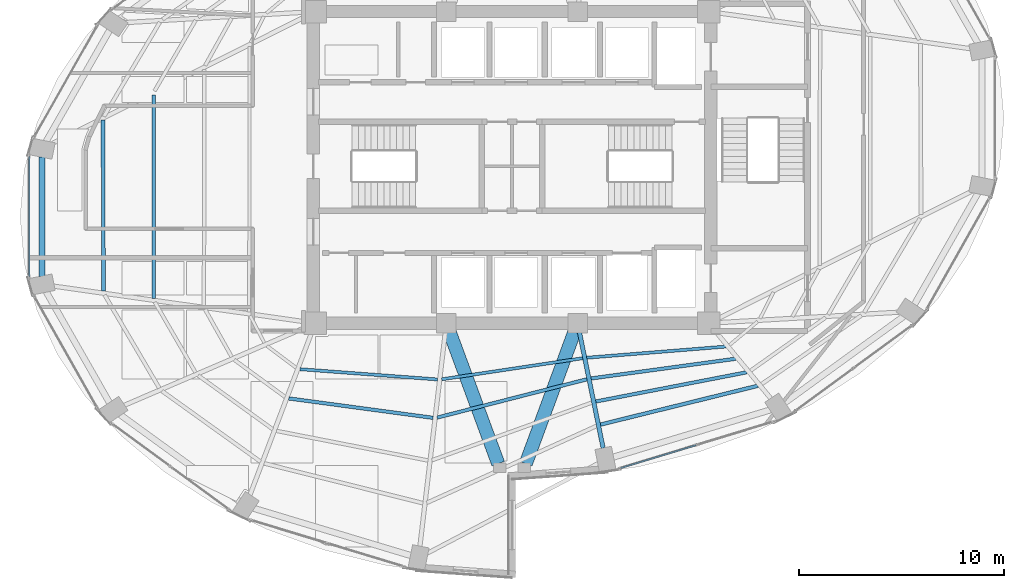
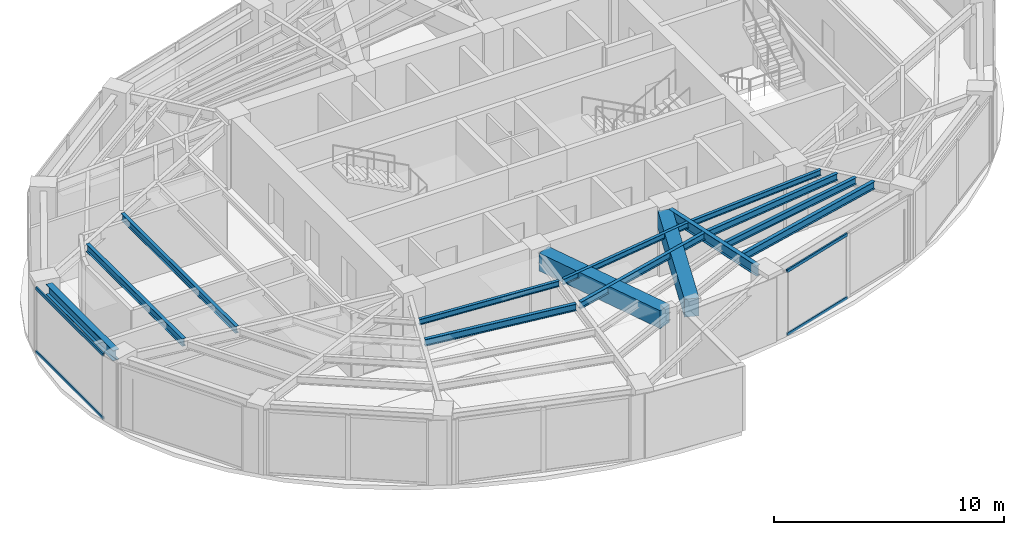
# One storey, part 5 of 20: 14 beams, 4 members, 2 elements without a shape of their own.
"""IFC4 building model written with IfcOpenShell, lengths in metres."""

from ifc_helpers import new_model, si_unit, direction, frame, origin, origin_2d, place, context, subcontext, project, spatial, rectangle, hollow_rectangle, i_section, extrude, material, layer, layer_set, material_profile, profile_set, type_object, element, aggregate, save


model = new_model("IFC4")

# Units and contexts
model_context = context("Model", 3, precision=1e-05, world=origin(), true_north=direction((0.0, 1.0)))
body_context = subcontext(model_context, "Body", "Model", "MODEL_VIEW")
ifc_project = project(units=[si_unit("LENGTHUNIT", "METRE"), si_unit("AREAUNIT", "SQUARE_METRE"), si_unit("VOLUMEUNIT", "CUBIC_METRE"), si_unit("PLANEANGLEUNIT", "RADIAN"), si_unit("MASSUNIT", "GRAM", prefix="KILO")], contexts=[model_context])

# Site, building, storey
site_placement = place(None, origin())
site = spatial("IfcSite", under=ifc_project, at=site_placement, CompositionType="ELEMENT")
building_placement = place(site_placement, origin())
building = spatial("IfcBuilding", under=site, at=building_placement, Name="Lazwardi Medical Tower", CompositionType="ELEMENT")
storey_placement = place(building_placement, frame((0.0, 0.0, 182.06396484375)))
storey = spatial("IfcBuildingStorey", under=building, at=storey_placement, Name="L47", CompositionType="ELEMENT", Elevation=182.06396484375)

# Beams
ifc_material_1 = material(Name="Concrete C60/75", Category="concrete")
ifc_material_profile_1 = material_profile(ifc_material_1, rectangle(XDim=0.64990234375, YDim=0.949951171875, at=origin_2d()), Name="RC 650x950")
ifc_profile_set_1 = profile_set([ifc_material_profile_1], Name="Concrete C60/75")
beam_type_1 = type_object("IfcBeamType", Name="BM-CB-RC2", PredefinedType="LINTEL", material=ifc_profile_set_1)
for number, where, z_axis, x_axis, name in (
    (1, (32.959228515625, 19.968505859375, 2.953125), (0.34601281054, -0.938229787921, 0.0), (0.938229787921, 0.34601281054, 0.0), "Core coupling lintel CB-02 PL3 L47"),
    (2, (39.040771484375, 19.968505859375, 2.953125), (-0.34601281054, -0.938229787921, 0.0), (0.938229787921, -0.34601281054, 0.0), "Core coupling lintel CB-02 PL4 L47"),
):
    element("IfcBeam", number, at=place(storey_placement, frame(where, z_axis=z_axis, x_axis=x_axis)), inside=storey, type_object=beam_type_1, Name=name, PredefinedType="LINTEL", context=body_context, shape_type="SweptSolid", body=[
        extrude(rectangle(XDim=0.64990234375, YDim=0.949951171875, at=origin_2d()), origin(), (0.0, 0.0, 1.0), 6.84423828125),
    ])
ifc_material_2 = material(Name="Steel S355", Category="steel")
ifc_material_profile_2 = material_profile(ifc_material_2, i_section(OverallWidth=0.300048828125, OverallDepth=0.550048828125, WebThickness=0.014892578125, FlangeThickness=0.029052734375, at=origin_2d()), Name="HEB 550")
ifc_profile_set_2 = profile_set([ifc_material_profile_2], Name="Steel S355")
beam_type_2 = type_object("IfcBeamType", Name="BM-RB-Z3", PredefinedType="BEAM", material=ifc_profile_set_2)
beam_1_placement = place(storey_placement, frame((13.07421875, 28.51171875, 3.153076171875), z_axis=(0.0, -1.0, 0.0), x_axis=(1.0, 0.0, 0.0)))
element("IfcBeam", 3, at=beam_1_placement, inside=storey, type_object=beam_type_2, Name="Ring beam RB-04 B12 L47", PredefinedType="BEAM", context=body_context, shape_type="SweptSolid", body=[
    extrude(i_section(OverallWidth=0.300048828125, OverallDepth=0.550048828125, WebThickness=0.014892578125, FlangeThickness=0.029052734375, at=origin_2d()), origin(), (0.0, 0.0, 1.0), 5.823486328125),
])
ifc_material_profile_3 = material_profile(ifc_material_2, i_section(OverallWidth=0.2099609375, OverallDepth=0.550048828125, WebThickness=0.010986328125, FlangeThickness=0.01708984375, at=origin_2d()), Name="IPE 550")
ifc_profile_set_3 = profile_set([ifc_material_profile_3], Name="Steel S355")
beam_type_3 = type_object("IfcBeamType", Name="BM-RG-W2", PredefinedType="BEAM", material=ifc_profile_set_3)
beam_2_placement = place(storey_placement, frame((40.447998046875, 14.2998046875, 3.153076171875), z_axis=(-0.200429485343, 0.979708130723, 0.0), x_axis=(-0.979708130723, -0.200429485343, 0.0)))
element("IfcBeam", 4, at=beam_2_placement, inside=storey, type_object=beam_type_3, Name="Radial girder RG-03 R01 L47", PredefinedType="BEAM", context=body_context, shape_type="SweptSolid", body=[
    extrude(i_section(OverallWidth=0.2099609375, OverallDepth=0.550048828125, WebThickness=0.010986328125, FlangeThickness=0.01708984375, at=origin_2d()), origin(), (0.0, 0.0, 1.0), 5.766357421875),
])
ifc_material_profile_4 = material_profile(ifc_material_2, i_section(OverallWidth=0.179931640625, OverallDepth=0.39990234375, WebThickness=0.008544921875, FlangeThickness=0.013427734375, at=origin_2d()), Name="IPE 400")
ifc_profile_set_4 = profile_set([ifc_material_profile_4], Name="Steel S355")
beam_type_4 = type_object("IfcBeamType", Name="BM-SJ-01", PredefinedType="JOIST", material=ifc_profile_set_4)
beam_3_placement = place(storey_placement, frame((40.31396484375, 15.45361328125, 3.22802734375), z_axis=(0.970912648168, 0.239433977597, 0.0), x_axis=(-0.239433977597, 0.970912648168, 0.0)))
element("IfcBeam", 5, at=beam_3_placement, inside=storey, type_object=beam_type_4, Name="Secondary joist SJ-01 R1 B01 L47", PredefinedType="JOIST", context=body_context, shape_type="SweptSolid", body=[
    extrude(i_section(OverallWidth=0.179931640625, OverallDepth=0.39990234375, WebThickness=0.008544921875, FlangeThickness=0.013427734375, at=origin_2d()), origin(), (0.0, 0.0, 1.0), 7.91162109375),
])
beam_4_placement = place(storey_placement, frame((16.04443359375, 30.30224609375, 3.22802734375), z_axis=(0.003864366017, -0.99999253331, 0.0), x_axis=(0.99999253331, 0.003864366017, 0.0)))
element("IfcBeam", 6, at=beam_4_placement, inside=storey, type_object=beam_type_4, Name="Secondary joist SJ-01 R1 B12 L47", PredefinedType="JOIST", context=body_context, shape_type="SweptSolid", body=[
    extrude(i_section(OverallWidth=0.179931640625, OverallDepth=0.39990234375, WebThickness=0.008544921875, FlangeThickness=0.013427734375, at=origin_2d()), origin(), (0.0, 0.0, 1.0), 8.33935546875),
])
ifc_material_profile_5 = material_profile(ifc_material_2, i_section(OverallWidth=0.169921875, OverallDepth=0.360107421875, WebThickness=0.008056640625, FlangeThickness=0.0126953125, at=origin_2d()), Name="IPE 360")
ifc_profile_set_5 = profile_set([ifc_material_profile_5], Name="Steel S355")
beam_type_5 = type_object("IfcBeamType", Name="BM-SJ-02", PredefinedType="JOIST", material=ifc_profile_set_5)
beam_5_placement = place(storey_placement, frame((40.083984375, 16.57861328125, 3.248046875), z_axis=(0.981753035865, 0.190160396953, 0.0), x_axis=(-0.190160396953, 0.981753035865, 0.0)))
element("IfcBeam", 7, at=beam_5_placement, inside=storey, type_object=beam_type_5, Name="Secondary joist SJ-02 R2 B01 L47", PredefinedType="JOIST", context=body_context, shape_type="SweptSolid", body=[
    extrude(i_section(OverallWidth=0.169921875, OverallDepth=0.360107421875, WebThickness=0.008056640625, FlangeThickness=0.0126953125, at=origin_2d()), origin(), (0.0, 0.0, 1.0), 7.50927734375),
])
beam_6_placement = place(storey_placement, frame((18.513671875, 31.541748046875, 3.248046875), z_axis=(0.001156040156, -0.999999331785, 0.0), x_axis=(0.999999331785, 0.001156040156, 0.0)))
element("IfcBeam", 8, at=beam_6_placement, inside=storey, type_object=beam_type_5, Name="Secondary joist SJ-02 R2 B12 L47", PredefinedType="JOIST", context=body_context, shape_type="SweptSolid", body=[
    extrude(i_section(OverallWidth=0.169921875, OverallDepth=0.360107421875, WebThickness=0.008056640625, FlangeThickness=0.0126953125, at=origin_2d()), origin(), (0.0, 0.0, 1.0), 9.92578125),
])
beam_7_placement = place(storey_placement, frame((39.853515625, 17.702880859375, 3.248046875), z_axis=(0.990832043476, 0.135099450852, 0.0), x_axis=(-0.135099450852, 0.990832043476, 0.0)))
element("IfcBeam", 9, at=beam_7_placement, inside=storey, type_object=beam_type_5, Name="Secondary joist SJ-02 R3 B01 L47", PredefinedType="JOIST", context=body_context, shape_type="SweptSolid", body=[
    extrude(i_section(OverallWidth=0.169921875, OverallDepth=0.360107421875, WebThickness=0.008056640625, FlangeThickness=0.0126953125, at=origin_2d()), origin(), (0.0, 0.0, 1.0), 7.129150390625),
])
beam_8_placement = place(storey_placement, frame((25.110107421875, 16.730224609375, 3.248046875), z_axis=(0.991056291961, -0.133444468468, 0.0), x_axis=(0.133444468468, 0.991056291961, 0.0)))
element("IfcBeam", 10, at=beam_8_placement, inside=storey, type_object=beam_type_5, Name="Secondary joist SJ-02 R3 B15 L47", PredefinedType="JOIST", context=body_context, shape_type="SweptSolid", body=[
    extrude(i_section(OverallWidth=0.169921875, OverallDepth=0.360107421875, WebThickness=0.008056640625, FlangeThickness=0.0126953125, at=origin_2d()), origin(), (0.0, 0.0, 1.0), 7.10400390625),
])
beam_9_placement = place(storey_placement, frame((32.3466796875, 15.793701171875, 3.248046875), z_axis=(0.96877632572, 0.247936344097, 0.0), x_axis=(-0.247936344097, 0.96877632572, 0.0)))
element("IfcBeam", 11, at=beam_9_placement, inside=storey, type_object=beam_type_5, Name="Secondary joist SJ-02 R3 B16 L47", PredefinedType="JOIST", context=body_context, shape_type="SweptSolid", body=[
    extrude(i_section(OverallWidth=0.169921875, OverallDepth=0.360107421875, WebThickness=0.008056640625, FlangeThickness=0.0126953125, at=origin_2d()), origin(), (0.0, 0.0, 1.0), 7.546630859375),
])
ifc_material_profile_6 = material_profile(ifc_material_2, i_section(OverallWidth=0.14990234375, OverallDepth=0.300048828125, WebThickness=0.007080078125, FlangeThickness=0.0107421875, at=origin_2d()), Name="IPE 300")
ifc_profile_set_6 = profile_set([ifc_material_profile_6], Name="Steel S355")
beam_type_6 = type_object("IfcBeamType", Name="BM-SJ-03", PredefinedType="JOIST", material=ifc_profile_set_6)
beam_10_placement = place(storey_placement, frame((39.646240234375, 18.71435546875, 3.278076171875), z_axis=(0.996785792338, 0.08011294647, 0.0), x_axis=(-0.08011294647, 0.996785792338, 0.0)))
element("IfcBeam", 12, at=beam_10_placement, inside=storey, type_object=beam_type_6, Name="Secondary joist SJ-03 R4 B01 L47", PredefinedType="JOIST", context=body_context, shape_type="SweptSolid", body=[
    extrude(i_section(OverallWidth=0.14990234375, OverallDepth=0.300048828125, WebThickness=0.007080078125, FlangeThickness=0.0107421875, at=origin_2d()), origin(), (0.0, 0.0, 1.0), 6.80810546875),
])
beam_11_placement = place(storey_placement, frame((25.650390625, 18.156494140625, 3.278076171875), z_axis=(0.99722699261, -0.074419924822, 0.0), x_axis=(0.074419924822, 0.99722699261, 0.0)))
element("IfcBeam", 13, at=beam_11_placement, inside=storey, type_object=beam_type_6, Name="Secondary joist SJ-03 R4 B15 L47", PredefinedType="JOIST", context=body_context, shape_type="SweptSolid", body=[
    extrude(i_section(OverallWidth=0.14990234375, OverallDepth=0.300048828125, WebThickness=0.007080078125, FlangeThickness=0.0107421875, at=origin_2d()), origin(), (0.0, 0.0, 1.0), 6.74169921875),
])
beam_12_placement = place(storey_placement, frame((32.57177734375, 17.662109375, 3.278076171875), z_axis=(0.98897469849, 0.148084589835, 0.0), x_axis=(-0.148084589835, 0.98897469849, 0.0)))
element("IfcBeam", 14, at=beam_12_placement, inside=storey, type_object=beam_type_6, Name="Secondary joist SJ-03 R4 B16 L47", PredefinedType="JOIST", context=body_context, shape_type="SweptSolid", body=[
    extrude(i_section(OverallWidth=0.14990234375, OverallDepth=0.300048828125, WebThickness=0.007080078125, FlangeThickness=0.0107421875, at=origin_2d()), origin(), (0.0, 0.0, 1.0), 6.952392578125),
])

# Curtain wall, members
ifc_material_3 = material(Name="Anodised bronze aluminium and solar control glazing", Category="aluminium")
ifc_layer = layer(ifc_material_3, 0.195068359375)
ifc_layer_set = layer_set([ifc_layer], Name="Anodised bronze aluminium and solar control glazing")
curtain_wall_type = type_object("IfcCurtainWallType", Name="CW-SYS-03", PredefinedType="NOTDEFINED", material=ifc_layer_set)
curtain_wall_1_placement = place(storey_placement, origin())
curtain_wall_1 = element("IfcCurtainWall", 15, at=curtain_wall_1_placement, inside=storey, type_object=curtain_wall_type, Name="L47 Unitised bronze curtain wall CW-03", PredefinedType="NOTDEFINED")
ifc_material_4 = material(Name="Anodised bronze aluminium", Category="aluminium")
ifc_material_profile_7 = material_profile(ifc_material_4, hollow_rectangle(XDim=0.074951171875, YDim=0.159912109375, WallThickness=0.00390625, at=origin_2d()), Name="ALU-TRANSOM 160x75x4")
ifc_profile_set_7 = profile_set([ifc_material_profile_7], Name="Anodised bronze aluminium")
member_type = type_object("IfcMemberType", Name="CW-TRN-01", PredefinedType="USERDEFINED", material=ifc_profile_set_7)
member_1_placement = place(storey_placement, frame((41.307861328125, 13.336669921875, 0.03759765625), z_axis=(0.956935517424, 0.290300560612, 0.0), x_axis=(-0.290300560612, 0.956935517424, 0.0)))
member_1 = element("IfcMember", 16, at=member_1_placement, type_object=member_type, Name="CW-03 transom 1.1", ObjectType="TRANSOM", PredefinedType="USERDEFINED", context=body_context, shape_type="SweptSolid", body=[
    extrude(hollow_rectangle(XDim=0.074951171875, YDim=0.159912109375, WallThickness=0.00390625, at=origin_2d()), origin(), (0.0, 0.0, 1.0), 3.836669921875),
])
member_2_placement = place(storey_placement, frame((41.307861328125, 13.336669921875, 3.390625), z_axis=(0.956935517424, 0.290300560612, 0.0), x_axis=(-0.290300560612, 0.956935517424, 0.0)))
member_2 = element("IfcMember", 17, at=member_2_placement, type_object=member_type, Name="CW-03 transom 1.2", ObjectType="TRANSOM", PredefinedType="USERDEFINED", context=body_context, shape_type="SweptSolid", body=[
    extrude(hollow_rectangle(XDim=0.074951171875, YDim=0.159912109375, WallThickness=0.00390625, at=origin_2d()), origin(), (0.0, 0.0, 1.0), 3.836669921875),
])
aggregate(curtain_wall_1, [member_1, member_2])

curtain_wall_2_placement = place(storey_placement, origin())
curtain_wall_2 = element("IfcCurtainWall", 18, at=curtain_wall_2_placement, inside=storey, type_object=curtain_wall_type, Name="L47 Unitised bronze curtain wall CW-03", PredefinedType="NOTDEFINED")
member_3_placement = place(storey_placement, frame((12.4423828125, 28.5205078125, 0.03759765625), z_axis=(0.0, -1.0, 0.0), x_axis=(1.0, 0.0, 0.0)))
member_3 = element("IfcMember", 19, at=member_3_placement, type_object=member_type, Name="CW-03 transom 1.1", ObjectType="TRANSOM", PredefinedType="USERDEFINED", context=body_context, shape_type="SweptSolid", body=[
    extrude(hollow_rectangle(XDim=0.074951171875, YDim=0.159912109375, WallThickness=0.00390625, at=origin_2d()), origin(), (0.0, 0.0, 1.0), 5.8408203125),
])
member_4_placement = place(storey_placement, frame((12.4423828125, 28.5205078125, 3.390625), z_axis=(0.0, -1.0, 0.0), x_axis=(1.0, 0.0, 0.0)))
member_4 = element("IfcMember", 20, at=member_4_placement, type_object=member_type, Name="CW-03 transom 1.2", ObjectType="TRANSOM", PredefinedType="USERDEFINED", context=body_context, shape_type="SweptSolid", body=[
    extrude(hollow_rectangle(XDim=0.074951171875, YDim=0.159912109375, WallThickness=0.00390625, at=origin_2d()), origin(), (0.0, 0.0, 1.0), 5.8408203125),
])
aggregate(curtain_wall_2, [member_3, member_4])

save(model, "model.ifc")
